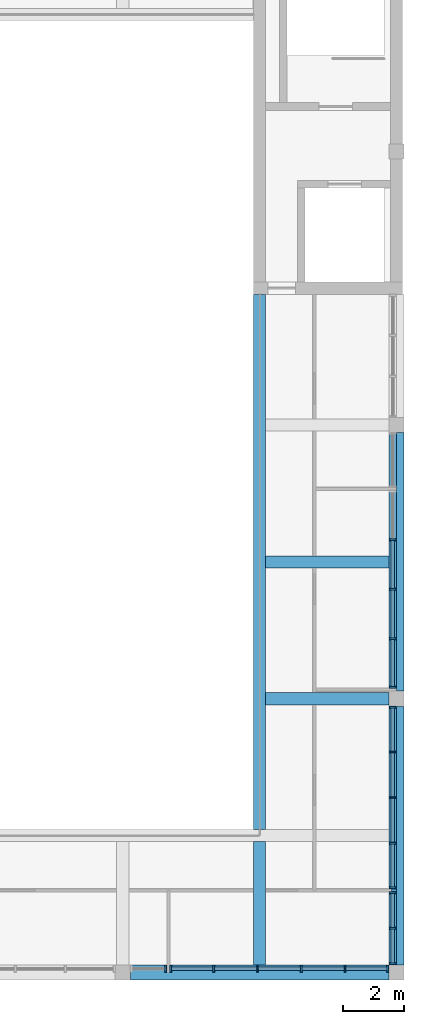
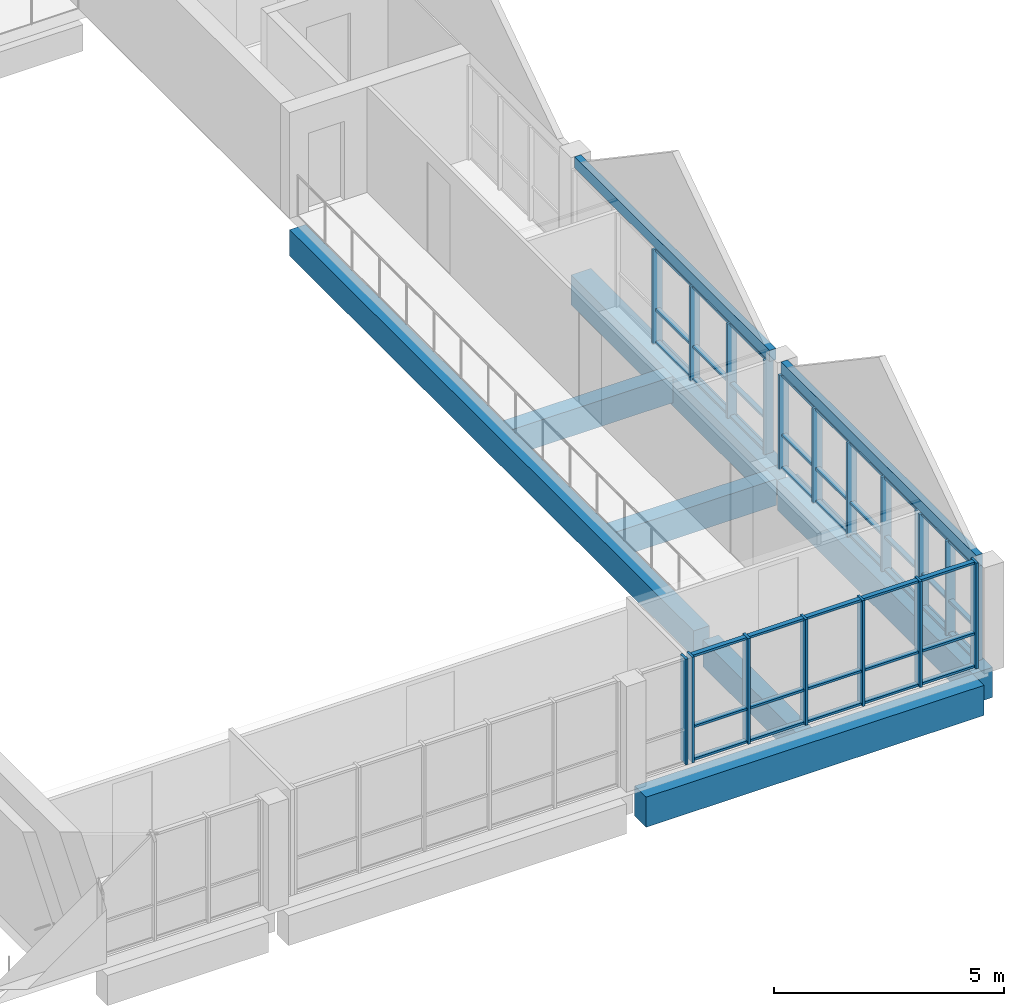
# One storey, part 7 of 50: 61 members, 9 beams, 5 elements without a shape of their own.
"""IFC4 building model written with IfcOpenShell, lengths in metres."""

from ifc_helpers import new_model, si_unit, direction, frame, origin, origin_2d, place, context, subcontext, project, spatial, rectangle, extrude, material, material_profile, profile_set, type_object, element, aggregate, save


model = new_model("IFC4")

# Units and contexts
model_context = context("Model", 3, precision=1e-05, world=origin(), true_north=direction((0.0, 1.0)))
body_context = subcontext(model_context, "Body", "Model", "MODEL_VIEW")
ifc_project = project(units=[si_unit("LENGTHUNIT", "METRE"), si_unit("AREAUNIT", "SQUARE_METRE"), si_unit("VOLUMEUNIT", "CUBIC_METRE"), si_unit("PLANEANGLEUNIT", "RADIAN"), si_unit("MASSUNIT", "GRAM", prefix="KILO")], contexts=[model_context])

# Site, building, storey
site_placement = place(None, origin())
site = spatial("IfcSite", under=ifc_project, at=site_placement, CompositionType="ELEMENT")
building_placement = place(site_placement, origin())
building = spatial("IfcBuilding", under=site, at=building_placement, Name="Merrow Basin Faculty of Sciences", CompositionType="ELEMENT")
storey_placement = place(building_placement, frame((0.0, 0.0, 18.0)))
storey = spatial("IfcBuildingStorey", under=building, at=storey_placement, Name="L04", CompositionType="ELEMENT", Elevation=18.0)

# Curtain wall, members
ifc_material_1 = material(Name="Aluminium alloy 6063", Category="aluminium")
curtain_wall_type = type_object("IfcCurtainWallType", Name="Atrium unitised curtain wall 240", PredefinedType="NOTDEFINED", material=ifc_material_1)
curtain_wall_1_placement = place(storey_placement, origin())
curtain_wall_1 = element("IfcCurtainWall", 1, at=curtain_wall_1_placement, inside=storey, type_object=curtain_wall_type, Name="E curtain wall L04 1", PredefinedType="NOTDEFINED")
ifc_material_2 = material(Name="Aluminium alloy 6063", Category="aluminium")
ifc_material_profile_1 = material_profile(ifc_material_2, rectangle(XDim=0.239990234375, YDim=0.06005859375, at=origin_2d()))
ifc_profile_set_1 = profile_set([ifc_material_profile_1], Name="Aluminium alloy 6063")
member_type_1 = type_object("IfcMemberType", Name="Aluminium mullion 60x240", PredefinedType="MULLION", material=ifc_profile_set_1)
member_1_placement = place(storey_placement, frame((71.8798828125, 0.280029296875, 0.0), z_axis=(0.0, 0.0, 1.0), x_axis=(-1.0, 0.0, 0.0)))
member_1 = element("IfcMember", 2, at=member_1_placement, type_object=member_type_1, Name="CW5 mullion 1", PredefinedType="MULLION", context=body_context, shape_type="SweptSolid", body=[
    extrude(rectangle(XDim=0.239990234375, YDim=0.06005859375, at=origin_2d()), origin(), (0.0, 0.0, 1.0), 2.512939453125),
])
member_2_placement = place(storey_placement, frame((71.8798828125, 1.449951171875, 0.0), z_axis=(0.0, 0.0, 1.0), x_axis=(-1.0, 0.0, 0.0)))
member_2 = element("IfcMember", 3, at=member_2_placement, type_object=member_type_1, Name="CW5 mullion 2", PredefinedType="MULLION", context=body_context, shape_type="SweptSolid", body=[
    extrude(rectangle(XDim=0.239990234375, YDim=0.06005859375, at=origin_2d()), origin(), (0.0, 0.0, 1.0), 2.512939453125),
])
member_3_placement = place(storey_placement, frame((71.8798828125, 2.6201171875, 0.0), z_axis=(0.0, 0.0, 1.0), x_axis=(-1.0, 0.0, 0.0)))
member_3 = element("IfcMember", 4, at=member_3_placement, type_object=member_type_1, Name="CW5 mullion 3", PredefinedType="MULLION", context=body_context, shape_type="SweptSolid", body=[
    extrude(rectangle(XDim=0.239990234375, YDim=0.06005859375, at=origin_2d()), origin(), (0.0, 0.0, 1.0), 2.512939453125),
])

curtain_wall_2_placement = place(storey_placement, origin())
curtain_wall_2 = element("IfcCurtainWall", 5, at=curtain_wall_2_placement, inside=storey, type_object=curtain_wall_type, Name="E curtain wall L04 2", PredefinedType="NOTDEFINED")
member_4_placement = place(storey_placement, frame((71.8798828125, 2.780029296875, 0.0), z_axis=(0.0, 0.0, 1.0), x_axis=(-1.0, 0.0, 0.0)))
member_4 = element("IfcMember", 6, at=member_4_placement, type_object=member_type_1, Name="CW5 mullion 1", PredefinedType="MULLION", context=body_context, shape_type="SweptSolid", body=[
    extrude(rectangle(XDim=0.239990234375, YDim=0.06005859375, at=origin_2d()), origin(), (0.0, 0.0, 1.0), 2.512939453125),
])
member_5_placement = place(storey_placement, frame((71.8798828125, 4.25, 0.0), z_axis=(0.0, 0.0, 1.0), x_axis=(-1.0, 0.0, 0.0)))
member_5 = element("IfcMember", 7, at=member_5_placement, type_object=member_type_1, Name="CW5 mullion 2", PredefinedType="MULLION", context=body_context, shape_type="SweptSolid", body=[
    extrude(rectangle(XDim=0.239990234375, YDim=0.06005859375, at=origin_2d()), origin(), (0.0, 0.0, 1.0), 2.512939453125),
])
member_6_placement = place(storey_placement, frame((71.8798828125, 5.75, 0.0), z_axis=(0.0, 0.0, 1.0), x_axis=(-1.0, 0.0, 0.0)))
member_6 = element("IfcMember", 8, at=member_6_placement, type_object=member_type_1, Name="CW5 mullion 3", PredefinedType="MULLION", context=body_context, shape_type="SweptSolid", body=[
    extrude(rectangle(XDim=0.239990234375, YDim=0.06005859375, at=origin_2d()), origin(), (0.0, 0.0, 1.0), 2.512939453125),
])
member_7_placement = place(storey_placement, frame((71.8798828125, 7.25, 0.0), z_axis=(0.0, 0.0, 1.0), x_axis=(-1.0, 0.0, 0.0)))
member_7 = element("IfcMember", 9, at=member_7_placement, type_object=member_type_1, Name="CW5 mullion 4", PredefinedType="MULLION", context=body_context, shape_type="SweptSolid", body=[
    extrude(rectangle(XDim=0.239990234375, YDim=0.06005859375, at=origin_2d()), origin(), (0.0, 0.0, 1.0), 2.512939453125),
])
member_8_placement = place(storey_placement, frame((71.8798828125, 8.719970703125, 0.0), z_axis=(0.0, 0.0, 1.0), x_axis=(-1.0, 0.0, 0.0)))
member_8 = element("IfcMember", 10, at=member_8_placement, type_object=member_type_1, Name="CW5 mullion 5", PredefinedType="MULLION", context=body_context, shape_type="SweptSolid", body=[
    extrude(rectangle(XDim=0.239990234375, YDim=0.06005859375, at=origin_2d()), origin(), (0.0, 0.0, 1.0), 2.512939453125),
])

curtain_wall_3_placement = place(storey_placement, origin())
curtain_wall_3 = element("IfcCurtainWall", 11, at=curtain_wall_3_placement, inside=storey, type_object=curtain_wall_type, Name="E curtain wall L04 3", PredefinedType="NOTDEFINED")
member_9_placement = place(storey_placement, frame((71.8798828125, 9.3798828125, 0.0), z_axis=(0.0, 0.0, 1.0), x_axis=(-1.0, 0.0, 0.0)))
member_9 = element("IfcMember", 12, at=member_9_placement, type_object=member_type_1, Name="CW5 mullion 1", PredefinedType="MULLION", context=body_context, shape_type="SweptSolid", body=[
    extrude(rectangle(XDim=0.239990234375, YDim=0.06005859375, at=origin_2d()), origin(), (0.0, 0.0, 1.0), 2.512939453125),
])
member_10_placement = place(storey_placement, frame((71.8798828125, 10.97509765625, 0.0), z_axis=(0.0, 0.0, 1.0), x_axis=(-1.0, 0.0, 0.0)))
member_10 = element("IfcMember", 13, at=member_10_placement, type_object=member_type_1, Name="CW5 mullion 2", PredefinedType="MULLION", context=body_context, shape_type="SweptSolid", body=[
    extrude(rectangle(XDim=0.239990234375, YDim=0.06005859375, at=origin_2d()), origin(), (0.0, 0.0, 1.0), 2.512939453125),
])
member_11_placement = place(storey_placement, frame((71.8798828125, 12.60009765625, 0.0), z_axis=(0.0, 0.0, 1.0), x_axis=(-1.0, 0.0, 0.0)))
member_11 = element("IfcMember", 14, at=member_11_placement, type_object=member_type_1, Name="CW5 mullion 3", PredefinedType="MULLION", context=body_context, shape_type="SweptSolid", body=[
    extrude(rectangle(XDim=0.239990234375, YDim=0.06005859375, at=origin_2d()), origin(), (0.0, 0.0, 1.0), 2.512939453125),
])
member_12_placement = place(storey_placement, frame((71.8798828125, 14.22509765625, 0.0), z_axis=(0.0, 0.0, 1.0), x_axis=(-1.0, 0.0, 0.0)))
member_12 = element("IfcMember", 15, at=member_12_placement, type_object=member_type_1, Name="CW5 mullion 4", PredefinedType="MULLION", context=body_context, shape_type="SweptSolid", body=[
    extrude(rectangle(XDim=0.239990234375, YDim=0.06005859375, at=origin_2d()), origin(), (0.0, 0.0, 1.0), 2.512939453125),
])

# Curtain wall, member
curtain_wall_4_placement = place(storey_placement, origin())
curtain_wall_4 = element("IfcCurtainWall", 16, at=curtain_wall_4_placement, inside=storey, type_object=curtain_wall_type, Name="S curtain wall L04 3", PredefinedType="NOTDEFINED")
member_13_placement = place(storey_placement, frame((64.419921875, 0.1201171875, 0.0), z_axis=(0.0, 0.0, 1.0), x_axis=(0.0, 1.0, 0.0)))
member_13 = element("IfcMember", 17, at=member_13_placement, type_object=member_type_1, Name="CW5 mullion 2", PredefinedType="MULLION", context=body_context, shape_type="SweptSolid", body=[
    extrude(rectangle(XDim=0.239990234375, YDim=0.06005859375, at=origin_2d()), origin(), (0.0, 0.0, 1.0), 2.81298828125),
])
aggregate(curtain_wall_4, [member_13])

# Curtain wall, members
curtain_wall_5_placement = place(storey_placement, origin())
curtain_wall_5 = element("IfcCurtainWall", 18, at=curtain_wall_5_placement, inside=storey, type_object=curtain_wall_type, Name="S curtain wall L04 4", PredefinedType="NOTDEFINED")
member_14_placement = place(storey_placement, frame((64.580078125, 0.1201171875, 0.0), z_axis=(0.0, 0.0, 1.0), x_axis=(0.0, 1.0, 0.0)))
member_14 = element("IfcMember", 19, at=member_14_placement, type_object=member_type_1, Name="CW5 mullion 1", PredefinedType="MULLION", context=body_context, shape_type="SweptSolid", body=[
    extrude(rectangle(XDim=0.239990234375, YDim=0.06005859375, at=origin_2d()), origin(), (0.0, 0.0, 1.0), 2.81298828125),
])
member_15_placement = place(storey_placement, frame((65.989990234375, 0.1201171875, 0.0), z_axis=(0.0, 0.0, 1.0), x_axis=(0.0, 1.0, 0.0)))
member_15 = element("IfcMember", 20, at=member_15_placement, type_object=member_type_1, Name="CW5 mullion 2", PredefinedType="MULLION", context=body_context, shape_type="SweptSolid", body=[
    extrude(rectangle(XDim=0.239990234375, YDim=0.06005859375, at=origin_2d()), origin(), (0.0, 0.0, 1.0), 2.81298828125),
])
member_16_placement = place(storey_placement, frame((67.429931640625, 0.1201171875, 0.0), z_axis=(0.0, 0.0, 1.0), x_axis=(0.0, 1.0, 0.0)))
member_16 = element("IfcMember", 21, at=member_16_placement, type_object=member_type_1, Name="CW5 mullion 3", PredefinedType="MULLION", context=body_context, shape_type="SweptSolid", body=[
    extrude(rectangle(XDim=0.239990234375, YDim=0.06005859375, at=origin_2d()), origin(), (0.0, 0.0, 1.0), 2.81298828125),
])
member_17_placement = place(storey_placement, frame((68.8701171875, 0.1201171875, 0.0), z_axis=(0.0, 0.0, 1.0), x_axis=(0.0, 1.0, 0.0)))
member_17 = element("IfcMember", 22, at=member_17_placement, type_object=member_type_1, Name="CW5 mullion 4", PredefinedType="MULLION", context=body_context, shape_type="SweptSolid", body=[
    extrude(rectangle(XDim=0.239990234375, YDim=0.06005859375, at=origin_2d()), origin(), (0.0, 0.0, 1.0), 2.81298828125),
])
member_18_placement = place(storey_placement, frame((70.31005859375, 0.1201171875, 0.0), z_axis=(0.0, 0.0, 1.0), x_axis=(0.0, 1.0, 0.0)))
member_18 = element("IfcMember", 23, at=member_18_placement, type_object=member_type_1, Name="CW5 mullion 5", PredefinedType="MULLION", context=body_context, shape_type="SweptSolid", body=[
    extrude(rectangle(XDim=0.239990234375, YDim=0.06005859375, at=origin_2d()), origin(), (0.0, 0.0, 1.0), 2.81298828125),
])
member_19_placement = place(storey_placement, frame((71.719970703125, 0.1201171875, 0.0), z_axis=(0.0, 0.0, 1.0), x_axis=(0.0, 1.0, 0.0)))
member_19 = element("IfcMember", 24, at=member_19_placement, type_object=member_type_1, Name="CW5 mullion 6", PredefinedType="MULLION", context=body_context, shape_type="SweptSolid", body=[
    extrude(rectangle(XDim=0.239990234375, YDim=0.06005859375, at=origin_2d()), origin(), (0.0, 0.0, 1.0), 2.81298828125),
])

# Member
ifc_material_3 = material(Name="Aluminium alloy 6063", Category="aluminium")
ifc_material_profile_2 = material_profile(ifc_material_3, rectangle(XDim=0.1201171875, YDim=0.06005859375, at=origin_2d()))
ifc_profile_set_2 = profile_set([ifc_material_profile_2], Name="Aluminium alloy 6063")
member_type_2 = type_object("IfcMemberType", Name="Aluminium transom 60x120", PredefinedType="USERDEFINED", material=ifc_profile_set_2)
member_20_placement = place(storey_placement, frame((71.8798828125, 0.31005859375, 0.030029296875), z_axis=(0.0, 1.0, 0.0), x_axis=(-1.0, 0.0, 0.0)))
member_20 = element("IfcMember", 25, at=member_20_placement, type_object=member_type_2, Name="CW5 transom 1.1", ObjectType="TRANSOM", PredefinedType="USERDEFINED", context=body_context, shape_type="SweptSolid", body=[
    extrude(rectangle(XDim=0.1201171875, YDim=0.06005859375, at=origin_2d()), origin(), (0.0, 0.0, 1.0), 1.10986328125),
])

member_21_placement = place(storey_placement, frame((71.8798828125, 0.31005859375, 0.89990234375), z_axis=(0.0, 1.0, 0.0), x_axis=(-1.0, 0.0, 0.0)))
member_21 = element("IfcMember", 26, at=member_21_placement, type_object=member_type_2, Name="CW5 transom 1.2", ObjectType="TRANSOM", PredefinedType="USERDEFINED", context=body_context, shape_type="SweptSolid", body=[
    extrude(rectangle(XDim=0.1201171875, YDim=0.06005859375, at=origin_2d()), origin(), (0.0, 0.0, 1.0), 1.10986328125),
])

member_22_placement = place(storey_placement, frame((71.8798828125, 0.31005859375, 2.48291015625), z_axis=(0.0, 1.0, 0.0), x_axis=(-1.0, 0.0, 0.0)))
member_22 = element("IfcMember", 27, at=member_22_placement, type_object=member_type_2, Name="CW5 transom 1.3", ObjectType="TRANSOM", PredefinedType="USERDEFINED", context=body_context, shape_type="SweptSolid", body=[
    extrude(rectangle(XDim=0.1201171875, YDim=0.06005859375, at=origin_2d()), origin(), (0.0, 0.0, 1.0), 1.10986328125),
])

member_23_placement = place(storey_placement, frame((71.8798828125, 1.47998046875, 0.030029296875), z_axis=(0.0, 1.0, 0.0), x_axis=(-1.0, 0.0, 0.0)))
member_23 = element("IfcMember", 28, at=member_23_placement, type_object=member_type_2, Name="CW5 transom 2.1", ObjectType="TRANSOM", PredefinedType="USERDEFINED", context=body_context, shape_type="SweptSolid", body=[
    extrude(rectangle(XDim=0.1201171875, YDim=0.06005859375, at=origin_2d()), origin(), (0.0, 0.0, 1.0), 1.110107421875),
])

member_24_placement = place(storey_placement, frame((71.8798828125, 1.47998046875, 0.89990234375), z_axis=(0.0, 1.0, 0.0), x_axis=(-1.0, 0.0, 0.0)))
member_24 = element("IfcMember", 29, at=member_24_placement, type_object=member_type_2, Name="CW5 transom 2.2", ObjectType="TRANSOM", PredefinedType="USERDEFINED", context=body_context, shape_type="SweptSolid", body=[
    extrude(rectangle(XDim=0.1201171875, YDim=0.06005859375, at=origin_2d()), origin(), (0.0, 0.0, 1.0), 1.110107421875),
])

member_25_placement = place(storey_placement, frame((71.8798828125, 1.47998046875, 2.48291015625), z_axis=(0.0, 1.0, 0.0), x_axis=(-1.0, 0.0, 0.0)))
member_25 = element("IfcMember", 30, at=member_25_placement, type_object=member_type_2, Name="CW5 transom 2.3", ObjectType="TRANSOM", PredefinedType="USERDEFINED", context=body_context, shape_type="SweptSolid", body=[
    extrude(rectangle(XDim=0.1201171875, YDim=0.06005859375, at=origin_2d()), origin(), (0.0, 0.0, 1.0), 1.110107421875),
])

aggregate(curtain_wall_1, [member_1, member_2, member_3, member_20, member_21, member_22, member_23, member_24, member_25])

member_26_placement = place(storey_placement, frame((71.8798828125, 2.81005859375, 0.030029296875), z_axis=(0.0, 1.0, 0.0), x_axis=(-1.0, 0.0, 0.0)))
member_26 = element("IfcMember", 31, at=member_26_placement, type_object=member_type_2, Name="CW5 transom 1.1", ObjectType="TRANSOM", PredefinedType="USERDEFINED", context=body_context, shape_type="SweptSolid", body=[
    extrude(rectangle(XDim=0.1201171875, YDim=0.06005859375, at=origin_2d()), origin(), (0.0, 0.0, 1.0), 1.409912109375),
])

member_27_placement = place(storey_placement, frame((71.8798828125, 2.81005859375, 0.89990234375), z_axis=(0.0, 1.0, 0.0), x_axis=(-1.0, 0.0, 0.0)))
member_27 = element("IfcMember", 32, at=member_27_placement, type_object=member_type_2, Name="CW5 transom 1.2", ObjectType="TRANSOM", PredefinedType="USERDEFINED", context=body_context, shape_type="SweptSolid", body=[
    extrude(rectangle(XDim=0.1201171875, YDim=0.06005859375, at=origin_2d()), origin(), (0.0, 0.0, 1.0), 1.409912109375),
])

member_28_placement = place(storey_placement, frame((71.8798828125, 2.81005859375, 2.48291015625), z_axis=(0.0, 1.0, 0.0), x_axis=(-1.0, 0.0, 0.0)))
member_28 = element("IfcMember", 33, at=member_28_placement, type_object=member_type_2, Name="CW5 transom 1.3", ObjectType="TRANSOM", PredefinedType="USERDEFINED", context=body_context, shape_type="SweptSolid", body=[
    extrude(rectangle(XDim=0.1201171875, YDim=0.06005859375, at=origin_2d()), origin(), (0.0, 0.0, 1.0), 1.409912109375),
])

member_29_placement = place(storey_placement, frame((71.8798828125, 4.280029296875, 0.030029296875), z_axis=(0.0, 1.0, 0.0), x_axis=(-1.0, 0.0, 0.0)))
member_29 = element("IfcMember", 34, at=member_29_placement, type_object=member_type_2, Name="CW5 transom 2.1", ObjectType="TRANSOM", PredefinedType="USERDEFINED", context=body_context, shape_type="SweptSolid", body=[
    extrude(rectangle(XDim=0.1201171875, YDim=0.06005859375, at=origin_2d()), origin(), (0.0, 0.0, 1.0), 1.43994140625),
])

member_30_placement = place(storey_placement, frame((71.8798828125, 4.280029296875, 0.89990234375), z_axis=(0.0, 1.0, 0.0), x_axis=(-1.0, 0.0, 0.0)))
member_30 = element("IfcMember", 35, at=member_30_placement, type_object=member_type_2, Name="CW5 transom 2.2", ObjectType="TRANSOM", PredefinedType="USERDEFINED", context=body_context, shape_type="SweptSolid", body=[
    extrude(rectangle(XDim=0.1201171875, YDim=0.06005859375, at=origin_2d()), origin(), (0.0, 0.0, 1.0), 1.43994140625),
])

member_31_placement = place(storey_placement, frame((71.8798828125, 4.280029296875, 2.48291015625), z_axis=(0.0, 1.0, 0.0), x_axis=(-1.0, 0.0, 0.0)))
member_31 = element("IfcMember", 36, at=member_31_placement, type_object=member_type_2, Name="CW5 transom 2.3", ObjectType="TRANSOM", PredefinedType="USERDEFINED", context=body_context, shape_type="SweptSolid", body=[
    extrude(rectangle(XDim=0.1201171875, YDim=0.06005859375, at=origin_2d()), origin(), (0.0, 0.0, 1.0), 1.43994140625),
])

member_32_placement = place(storey_placement, frame((71.8798828125, 5.780029296875, 0.030029296875), z_axis=(0.0, 1.0, 0.0), x_axis=(-1.0, 0.0, 0.0)))
member_32 = element("IfcMember", 37, at=member_32_placement, type_object=member_type_2, Name="CW5 transom 3.1", ObjectType="TRANSOM", PredefinedType="USERDEFINED", context=body_context, shape_type="SweptSolid", body=[
    extrude(rectangle(XDim=0.1201171875, YDim=0.06005859375, at=origin_2d()), origin(), (0.0, 0.0, 1.0), 1.43994140625),
])

member_33_placement = place(storey_placement, frame((71.8798828125, 5.780029296875, 0.89990234375), z_axis=(0.0, 1.0, 0.0), x_axis=(-1.0, 0.0, 0.0)))
member_33 = element("IfcMember", 38, at=member_33_placement, type_object=member_type_2, Name="CW5 transom 3.2", ObjectType="TRANSOM", PredefinedType="USERDEFINED", context=body_context, shape_type="SweptSolid", body=[
    extrude(rectangle(XDim=0.1201171875, YDim=0.06005859375, at=origin_2d()), origin(), (0.0, 0.0, 1.0), 1.43994140625),
])

member_34_placement = place(storey_placement, frame((71.8798828125, 5.780029296875, 2.48291015625), z_axis=(0.0, 1.0, 0.0), x_axis=(-1.0, 0.0, 0.0)))
member_34 = element("IfcMember", 39, at=member_34_placement, type_object=member_type_2, Name="CW5 transom 3.3", ObjectType="TRANSOM", PredefinedType="USERDEFINED", context=body_context, shape_type="SweptSolid", body=[
    extrude(rectangle(XDim=0.1201171875, YDim=0.06005859375, at=origin_2d()), origin(), (0.0, 0.0, 1.0), 1.43994140625),
])

member_35_placement = place(storey_placement, frame((71.8798828125, 7.280029296875, 0.030029296875), z_axis=(0.0, 1.0, 0.0), x_axis=(-1.0, 0.0, 0.0)))
member_35 = element("IfcMember", 40, at=member_35_placement, type_object=member_type_2, Name="CW5 transom 4.1", ObjectType="TRANSOM", PredefinedType="USERDEFINED", context=body_context, shape_type="SweptSolid", body=[
    extrude(rectangle(XDim=0.1201171875, YDim=0.06005859375, at=origin_2d()), origin(), (0.0, 0.0, 1.0), 1.409912109375),
])

member_36_placement = place(storey_placement, frame((71.8798828125, 7.280029296875, 0.89990234375), z_axis=(0.0, 1.0, 0.0), x_axis=(-1.0, 0.0, 0.0)))
member_36 = element("IfcMember", 41, at=member_36_placement, type_object=member_type_2, Name="CW5 transom 4.2", ObjectType="TRANSOM", PredefinedType="USERDEFINED", context=body_context, shape_type="SweptSolid", body=[
    extrude(rectangle(XDim=0.1201171875, YDim=0.06005859375, at=origin_2d()), origin(), (0.0, 0.0, 1.0), 1.409912109375),
])

member_37_placement = place(storey_placement, frame((71.8798828125, 7.280029296875, 2.48291015625), z_axis=(0.0, 1.0, 0.0), x_axis=(-1.0, 0.0, 0.0)))
member_37 = element("IfcMember", 42, at=member_37_placement, type_object=member_type_2, Name="CW5 transom 4.3", ObjectType="TRANSOM", PredefinedType="USERDEFINED", context=body_context, shape_type="SweptSolid", body=[
    extrude(rectangle(XDim=0.1201171875, YDim=0.06005859375, at=origin_2d()), origin(), (0.0, 0.0, 1.0), 1.409912109375),
])

aggregate(curtain_wall_2, [member_4, member_5, member_6, member_7, member_8, member_26, member_27, member_28, member_29, member_30, member_31, member_32, member_33, member_34, member_35, member_36, member_37])

member_38_placement = place(storey_placement, frame((71.8798828125, 9.409912109375, 0.030029296875), z_axis=(0.0, 1.0, 0.0), x_axis=(-1.0, 0.0, 0.0)))
member_38 = element("IfcMember", 43, at=member_38_placement, type_object=member_type_2, Name="CW5 transom 1.1", ObjectType="TRANSOM", PredefinedType="USERDEFINED", context=body_context, shape_type="SweptSolid", body=[
    extrude(rectangle(XDim=0.1201171875, YDim=0.06005859375, at=origin_2d()), origin(), (0.0, 0.0, 1.0), 1.53515625),
])

member_39_placement = place(storey_placement, frame((71.8798828125, 9.409912109375, 0.89990234375), z_axis=(0.0, 1.0, 0.0), x_axis=(-1.0, 0.0, 0.0)))
member_39 = element("IfcMember", 44, at=member_39_placement, type_object=member_type_2, Name="CW5 transom 1.2", ObjectType="TRANSOM", PredefinedType="USERDEFINED", context=body_context, shape_type="SweptSolid", body=[
    extrude(rectangle(XDim=0.1201171875, YDim=0.06005859375, at=origin_2d()), origin(), (0.0, 0.0, 1.0), 1.53515625),
])

member_40_placement = place(storey_placement, frame((71.8798828125, 9.409912109375, 2.48291015625), z_axis=(0.0, 1.0, 0.0), x_axis=(-1.0, 0.0, 0.0)))
member_40 = element("IfcMember", 45, at=member_40_placement, type_object=member_type_2, Name="CW5 transom 1.3", ObjectType="TRANSOM", PredefinedType="USERDEFINED", context=body_context, shape_type="SweptSolid", body=[
    extrude(rectangle(XDim=0.1201171875, YDim=0.06005859375, at=origin_2d()), origin(), (0.0, 0.0, 1.0), 1.53515625),
])

member_41_placement = place(storey_placement, frame((71.8798828125, 11.0048828125, 0.030029296875), z_axis=(0.0, 1.0, 0.0), x_axis=(-1.0, 0.0, 0.0)))
member_41 = element("IfcMember", 46, at=member_41_placement, type_object=member_type_2, Name="CW5 transom 2.1", ObjectType="TRANSOM", PredefinedType="USERDEFINED", context=body_context, shape_type="SweptSolid", body=[
    extrude(rectangle(XDim=0.1201171875, YDim=0.06005859375, at=origin_2d()), origin(), (0.0, 0.0, 1.0), 1.565185546875),
])

member_42_placement = place(storey_placement, frame((71.8798828125, 11.0048828125, 0.89990234375), z_axis=(0.0, 1.0, 0.0), x_axis=(-1.0, 0.0, 0.0)))
member_42 = element("IfcMember", 47, at=member_42_placement, type_object=member_type_2, Name="CW5 transom 2.2", ObjectType="TRANSOM", PredefinedType="USERDEFINED", context=body_context, shape_type="SweptSolid", body=[
    extrude(rectangle(XDim=0.1201171875, YDim=0.06005859375, at=origin_2d()), origin(), (0.0, 0.0, 1.0), 1.565185546875),
])

member_43_placement = place(storey_placement, frame((71.8798828125, 11.0048828125, 2.48291015625), z_axis=(0.0, 1.0, 0.0), x_axis=(-1.0, 0.0, 0.0)))
member_43 = element("IfcMember", 48, at=member_43_placement, type_object=member_type_2, Name="CW5 transom 2.3", ObjectType="TRANSOM", PredefinedType="USERDEFINED", context=body_context, shape_type="SweptSolid", body=[
    extrude(rectangle(XDim=0.1201171875, YDim=0.06005859375, at=origin_2d()), origin(), (0.0, 0.0, 1.0), 1.565185546875),
])

member_44_placement = place(storey_placement, frame((71.8798828125, 12.6298828125, 0.030029296875), z_axis=(0.0, 1.0, 0.0), x_axis=(-1.0, 0.0, 0.0)))
member_44 = element("IfcMember", 49, at=member_44_placement, type_object=member_type_2, Name="CW5 transom 3.1", ObjectType="TRANSOM", PredefinedType="USERDEFINED", context=body_context, shape_type="SweptSolid", body=[
    extrude(rectangle(XDim=0.1201171875, YDim=0.06005859375, at=origin_2d()), origin(), (0.0, 0.0, 1.0), 1.565185546875),
])

member_45_placement = place(storey_placement, frame((71.8798828125, 12.6298828125, 0.89990234375), z_axis=(0.0, 1.0, 0.0), x_axis=(-1.0, 0.0, 0.0)))
member_45 = element("IfcMember", 50, at=member_45_placement, type_object=member_type_2, Name="CW5 transom 3.2", ObjectType="TRANSOM", PredefinedType="USERDEFINED", context=body_context, shape_type="SweptSolid", body=[
    extrude(rectangle(XDim=0.1201171875, YDim=0.06005859375, at=origin_2d()), origin(), (0.0, 0.0, 1.0), 1.565185546875),
])

member_46_placement = place(storey_placement, frame((71.8798828125, 12.6298828125, 2.48291015625), z_axis=(0.0, 1.0, 0.0), x_axis=(-1.0, 0.0, 0.0)))
member_46 = element("IfcMember", 51, at=member_46_placement, type_object=member_type_2, Name="CW5 transom 3.3", ObjectType="TRANSOM", PredefinedType="USERDEFINED", context=body_context, shape_type="SweptSolid", body=[
    extrude(rectangle(XDim=0.1201171875, YDim=0.06005859375, at=origin_2d()), origin(), (0.0, 0.0, 1.0), 1.565185546875),
])

aggregate(curtain_wall_3, [member_9, member_10, member_11, member_12, member_38, member_39, member_40, member_41, member_42, member_43, member_44, member_45, member_46])

member_47_placement = place(storey_placement, frame((64.610107421875, 0.1201171875, 0.030029296875), z_axis=(1.0, 0.0, 0.0), x_axis=(0.0, 1.0, 0.0)))
member_47 = element("IfcMember", 52, at=member_47_placement, type_object=member_type_2, Name="CW5 transom 1.1", ObjectType="TRANSOM", PredefinedType="USERDEFINED", context=body_context, shape_type="SweptSolid", body=[
    extrude(rectangle(XDim=0.1201171875, YDim=0.06005859375, at=origin_2d()), origin(), (0.0, 0.0, 1.0), 1.349853515625),
])

member_48_placement = place(storey_placement, frame((64.610107421875, 0.1201171875, 0.89990234375), z_axis=(1.0, 0.0, 0.0), x_axis=(0.0, 1.0, 0.0)))
member_48 = element("IfcMember", 53, at=member_48_placement, type_object=member_type_2, Name="CW5 transom 1.2", ObjectType="TRANSOM", PredefinedType="USERDEFINED", context=body_context, shape_type="SweptSolid", body=[
    extrude(rectangle(XDim=0.1201171875, YDim=0.06005859375, at=origin_2d()), origin(), (0.0, 0.0, 1.0), 1.349853515625),
])

member_49_placement = place(storey_placement, frame((64.610107421875, 0.1201171875, 2.782958984375), z_axis=(1.0, 0.0, 0.0), x_axis=(0.0, 1.0, 0.0)))
member_49 = element("IfcMember", 54, at=member_49_placement, type_object=member_type_2, Name="CW5 transom 1.3", ObjectType="TRANSOM", PredefinedType="USERDEFINED", context=body_context, shape_type="SweptSolid", body=[
    extrude(rectangle(XDim=0.1201171875, YDim=0.06005859375, at=origin_2d()), origin(), (0.0, 0.0, 1.0), 1.349853515625),
])

member_50_placement = place(storey_placement, frame((66.02001953125, 0.1201171875, 0.030029296875), z_axis=(1.0, 0.0, 0.0), x_axis=(0.0, 1.0, 0.0)))
member_50 = element("IfcMember", 55, at=member_50_placement, type_object=member_type_2, Name="CW5 transom 2.1", ObjectType="TRANSOM", PredefinedType="USERDEFINED", context=body_context, shape_type="SweptSolid", body=[
    extrude(rectangle(XDim=0.1201171875, YDim=0.06005859375, at=origin_2d()), origin(), (0.0, 0.0, 1.0), 1.3798828125),
])

member_51_placement = place(storey_placement, frame((66.02001953125, 0.1201171875, 0.89990234375), z_axis=(1.0, 0.0, 0.0), x_axis=(0.0, 1.0, 0.0)))
member_51 = element("IfcMember", 56, at=member_51_placement, type_object=member_type_2, Name="CW5 transom 2.2", ObjectType="TRANSOM", PredefinedType="USERDEFINED", context=body_context, shape_type="SweptSolid", body=[
    extrude(rectangle(XDim=0.1201171875, YDim=0.06005859375, at=origin_2d()), origin(), (0.0, 0.0, 1.0), 1.3798828125),
])

member_52_placement = place(storey_placement, frame((66.02001953125, 0.1201171875, 2.782958984375), z_axis=(1.0, 0.0, 0.0), x_axis=(0.0, 1.0, 0.0)))
member_52 = element("IfcMember", 57, at=member_52_placement, type_object=member_type_2, Name="CW5 transom 2.3", ObjectType="TRANSOM", PredefinedType="USERDEFINED", context=body_context, shape_type="SweptSolid", body=[
    extrude(rectangle(XDim=0.1201171875, YDim=0.06005859375, at=origin_2d()), origin(), (0.0, 0.0, 1.0), 1.3798828125),
])

member_53_placement = place(storey_placement, frame((67.4599609375, 0.1201171875, 0.030029296875), z_axis=(1.0, 0.0, 0.0), x_axis=(0.0, 1.0, 0.0)))
member_53 = element("IfcMember", 58, at=member_53_placement, type_object=member_type_2, Name="CW5 transom 3.1", ObjectType="TRANSOM", PredefinedType="USERDEFINED", context=body_context, shape_type="SweptSolid", body=[
    extrude(rectangle(XDim=0.1201171875, YDim=0.06005859375, at=origin_2d()), origin(), (0.0, 0.0, 1.0), 1.380126953125),
])

member_54_placement = place(storey_placement, frame((67.4599609375, 0.1201171875, 0.89990234375), z_axis=(1.0, 0.0, 0.0), x_axis=(0.0, 1.0, 0.0)))
member_54 = element("IfcMember", 59, at=member_54_placement, type_object=member_type_2, Name="CW5 transom 3.2", ObjectType="TRANSOM", PredefinedType="USERDEFINED", context=body_context, shape_type="SweptSolid", body=[
    extrude(rectangle(XDim=0.1201171875, YDim=0.06005859375, at=origin_2d()), origin(), (0.0, 0.0, 1.0), 1.380126953125),
])

member_55_placement = place(storey_placement, frame((67.4599609375, 0.1201171875, 2.782958984375), z_axis=(1.0, 0.0, 0.0), x_axis=(0.0, 1.0, 0.0)))
member_55 = element("IfcMember", 60, at=member_55_placement, type_object=member_type_2, Name="CW5 transom 3.3", ObjectType="TRANSOM", PredefinedType="USERDEFINED", context=body_context, shape_type="SweptSolid", body=[
    extrude(rectangle(XDim=0.1201171875, YDim=0.06005859375, at=origin_2d()), origin(), (0.0, 0.0, 1.0), 1.380126953125),
])

member_56_placement = place(storey_placement, frame((68.89990234375, 0.1201171875, 0.030029296875), z_axis=(1.0, 0.0, 0.0), x_axis=(0.0, 1.0, 0.0)))
member_56 = element("IfcMember", 61, at=member_56_placement, type_object=member_type_2, Name="CW5 transom 4.1", ObjectType="TRANSOM", PredefinedType="USERDEFINED", context=body_context, shape_type="SweptSolid", body=[
    extrude(rectangle(XDim=0.1201171875, YDim=0.06005859375, at=origin_2d()), origin(), (0.0, 0.0, 1.0), 1.380126953125),
])

member_57_placement = place(storey_placement, frame((68.89990234375, 0.1201171875, 0.89990234375), z_axis=(1.0, 0.0, 0.0), x_axis=(0.0, 1.0, 0.0)))
member_57 = element("IfcMember", 62, at=member_57_placement, type_object=member_type_2, Name="CW5 transom 4.2", ObjectType="TRANSOM", PredefinedType="USERDEFINED", context=body_context, shape_type="SweptSolid", body=[
    extrude(rectangle(XDim=0.1201171875, YDim=0.06005859375, at=origin_2d()), origin(), (0.0, 0.0, 1.0), 1.380126953125),
])

member_58_placement = place(storey_placement, frame((68.89990234375, 0.1201171875, 2.782958984375), z_axis=(1.0, 0.0, 0.0), x_axis=(0.0, 1.0, 0.0)))
member_58 = element("IfcMember", 63, at=member_58_placement, type_object=member_type_2, Name="CW5 transom 4.3", ObjectType="TRANSOM", PredefinedType="USERDEFINED", context=body_context, shape_type="SweptSolid", body=[
    extrude(rectangle(XDim=0.1201171875, YDim=0.06005859375, at=origin_2d()), origin(), (0.0, 0.0, 1.0), 1.380126953125),
])

member_59_placement = place(storey_placement, frame((70.340087890625, 0.1201171875, 0.030029296875), z_axis=(1.0, 0.0, 0.0), x_axis=(0.0, 1.0, 0.0)))
member_59 = element("IfcMember", 64, at=member_59_placement, type_object=member_type_2, Name="CW5 transom 5.1", ObjectType="TRANSOM", PredefinedType="USERDEFINED", context=body_context, shape_type="SweptSolid", body=[
    extrude(rectangle(XDim=0.1201171875, YDim=0.06005859375, at=origin_2d()), origin(), (0.0, 0.0, 1.0), 1.349853515625),
])

member_60_placement = place(storey_placement, frame((70.340087890625, 0.1201171875, 0.89990234375), z_axis=(1.0, 0.0, 0.0), x_axis=(0.0, 1.0, 0.0)))
member_60 = element("IfcMember", 65, at=member_60_placement, type_object=member_type_2, Name="CW5 transom 5.2", ObjectType="TRANSOM", PredefinedType="USERDEFINED", context=body_context, shape_type="SweptSolid", body=[
    extrude(rectangle(XDim=0.1201171875, YDim=0.06005859375, at=origin_2d()), origin(), (0.0, 0.0, 1.0), 1.349853515625),
])

member_61_placement = place(storey_placement, frame((70.340087890625, 0.1201171875, 2.782958984375), z_axis=(1.0, 0.0, 0.0), x_axis=(0.0, 1.0, 0.0)))
member_61 = element("IfcMember", 66, at=member_61_placement, type_object=member_type_2, Name="CW5 transom 5.3", ObjectType="TRANSOM", PredefinedType="USERDEFINED", context=body_context, shape_type="SweptSolid", body=[
    extrude(rectangle(XDim=0.1201171875, YDim=0.06005859375, at=origin_2d()), origin(), (0.0, 0.0, 1.0), 1.349853515625),
])

aggregate(curtain_wall_5, [member_14, member_15, member_16, member_17, member_18, member_19, member_47, member_48, member_49, member_50, member_51, member_52, member_53, member_54, member_55, member_56, member_57, member_58, member_59, member_60, member_61])

# Beams
ifc_material_4 = material(Name="Concrete C40/50", Category="concrete")
ifc_material_profile_3 = material_profile(ifc_material_4, rectangle(XDim=0.5, YDim=0.800048828125, at=origin_2d()))
ifc_profile_set_3 = profile_set([ifc_material_profile_3], Name="Concrete C40/50")
beam_type_1 = type_object("IfcBeamType", Name="Beam RC500x800 C40/50", PredefinedType="BEAM", material=ifc_profile_set_3)
for number, where, z_axis, x_axis, name in (
    (67, (63.25, 0.0, -0.699951171875), (1.0, 0.0, 0.0), (0.0, 1.0, 0.0), "B4 L04 003"),
    (68, (72.0, 0.25, -0.699951171875), (0.0, 1.0, 0.0), (-1.0, 0.0, 0.0), "B4 L04 010"),
    (69, (72.0, 9.25, -0.699951171875), (0.0, 1.0, 0.0), (-1.0, 0.0, 0.0), "B4 L04 011"),
):
    element("IfcBeam", number, at=place(storey_placement, frame(where, z_axis=z_axis, x_axis=x_axis)), inside=storey, type_object=beam_type_1, Name=name, PredefinedType="BEAM", context=body_context, shape_type="SweptSolid", body=[
        extrude(rectangle(XDim=0.5, YDim=0.800048828125, at=origin_2d()), origin(), (0.0, 0.0, 1.0), 8.5),
    ])
ifc_material_5 = material(Name="Concrete C40/50", Category="concrete")
ifc_material_profile_4 = material_profile(ifc_material_5, rectangle(XDim=0.39990234375, YDim=0.699951171875, at=origin_2d()))
ifc_profile_set_4 = profile_set([ifc_material_profile_4], Name="Concrete C40/50")
beam_type_2 = type_object("IfcBeamType", Name="Gallery edge beam RC400x700 C40/50", PredefinedType="BEAM", material=ifc_profile_set_4)
beam_1_placement = place(storey_placement, frame((67.5, 0.25, -0.64990234375), z_axis=(0.0, 1.0, 0.0), x_axis=(-1.0, 0.0, 0.0)))
element("IfcBeam", 70, at=beam_1_placement, inside=storey, type_object=beam_type_2, Name="GB1 L04 017", PredefinedType="BEAM", context=body_context, shape_type="SweptSolid", body=[
    extrude(rectangle(XDim=0.39990234375, YDim=0.699951171875, at=origin_2d()), origin(), (0.0, 0.0, 1.0), 4.050048828125),
])
beam_2_placement = place(storey_placement, frame((67.5, 4.699951171875, -0.64990234375), z_axis=(0.0, 1.0, 0.0), x_axis=(-1.0, 0.0, 0.0)))
element("IfcBeam", 71, at=beam_2_placement, inside=storey, type_object=beam_type_2, Name="GB1 L04 018", PredefinedType="BEAM", context=body_context, shape_type="SweptSolid", body=[
    extrude(rectangle(XDim=0.39990234375, YDim=0.699951171875, at=origin_2d()), origin(), (0.0, 0.0, 1.0), 17.60009765625),
])
for number, where, z_axis, x_axis, name in (
    (72, (67.699951171875, 13.5, -0.64990234375), (1.0, 0.0, 0.0), (0.0, 1.0, 0.0), "GB1 L04 025"),
    (73, (67.699951171875, 9.0, -0.64990234375), (1.0, 0.0, 0.0), (0.0, 1.0, 0.0), "GB1 L04 027"),
):
    element("IfcBeam", number, at=place(storey_placement, frame(where, z_axis=z_axis, x_axis=x_axis)), inside=storey, type_object=beam_type_2, Name=name, PredefinedType="BEAM", context=body_context, shape_type="SweptSolid", body=[
        extrude(rectangle(XDim=0.39990234375, YDim=0.699951171875, at=origin_2d()), origin(), (0.0, 0.0, 1.0), 4.050048828125),
    ])
ifc_material_6 = material(Name="Concrete C40/50", Category="concrete")
ifc_material_profile_5 = material_profile(ifc_material_6, rectangle(XDim=0.159912109375, YDim=0.300048828125, at=origin_2d()))
ifc_profile_set_5 = profile_set([ifc_material_profile_5], Name="Concrete C40/50")
beam_type_3 = type_object("IfcBeamType", Name="Precast sill beam 160 x 300 Concrete C40/50", PredefinedType="BEAM", material=ifc_profile_set_5)
for number, where, z_axis, x_axis, name in (
    (74, (71.919921875, 0.25, 2.6630859375), (0.0, 1.0, 0.0), (-1.0, 0.0, 0.0), "East frame infill sill beam"),
    (75, (71.919921875, 9.25, 2.6630859375), (0.0, 1.0, 0.0), (-1.0, 0.0, 0.0), "East frame infill sill beam"),
):
    element("IfcBeam", number, at=place(storey_placement, frame(where, z_axis=z_axis, x_axis=x_axis)), inside=storey, type_object=beam_type_3, Name=name, PredefinedType="BEAM", context=body_context, shape_type="SweptSolid", body=[
        extrude(rectangle(XDim=0.159912109375, YDim=0.300048828125, at=origin_2d()), origin(), (0.0, 0.0, 1.0), 8.5),
    ])

save(model, "model.ifc")
